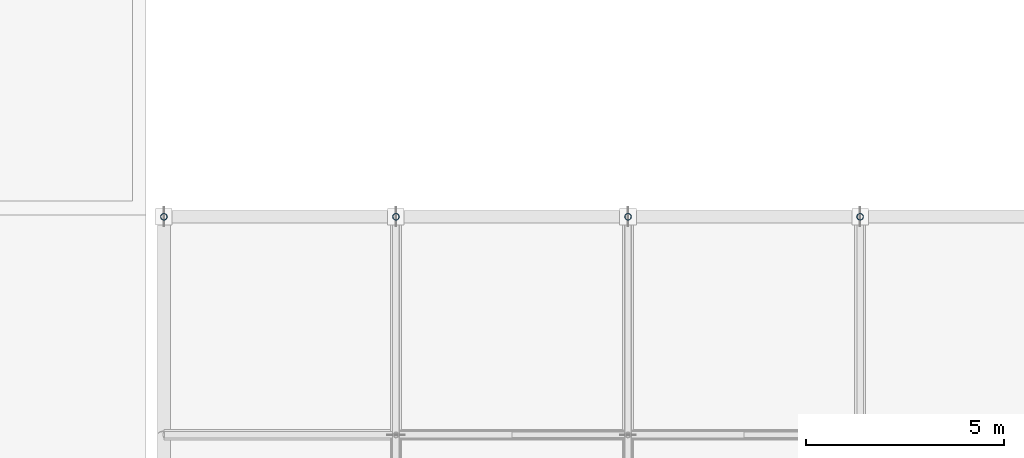
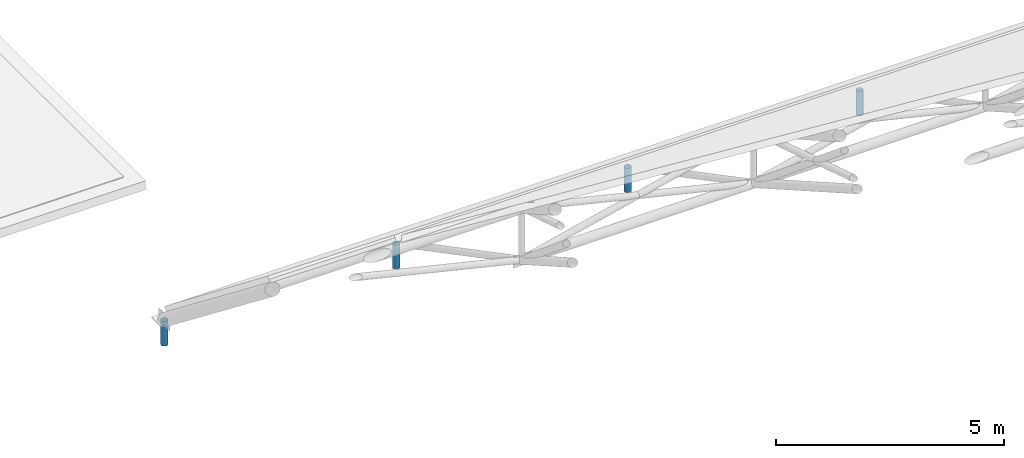
# One storey, part 71 of 82: 4 members.
"""IFC4 building model written with IfcOpenShell, lengths in metres."""

from ifc_helpers import new_model, si_unit, direction, frame, origin, origin_2d, place, context, subcontext, project, spatial, hollow_circle, extrude, material, material_profile, profile_set, type_object, element, save


model = new_model("IFC4")

# Units and contexts
model_context = context("Model", 3, precision=1e-05, world=origin(), true_north=direction((0.0, 1.0)))
body_context = subcontext(model_context, "Body", "Model", "MODEL_VIEW")
ifc_project = project(units=[si_unit("LENGTHUNIT", "METRE"), si_unit("AREAUNIT", "SQUARE_METRE"), si_unit("VOLUMEUNIT", "CUBIC_METRE"), si_unit("PLANEANGLEUNIT", "RADIAN"), si_unit("MASSUNIT", "GRAM", prefix="KILO")], contexts=[model_context])

# Site, building, storey
site_placement = place(None, origin())
site = spatial("IfcSite", under=ifc_project, at=site_placement, CompositionType="ELEMENT")
building_placement = place(site_placement, origin())
building = spatial("IfcBuilding", under=site, at=building_placement, Name="Bramfleet General Hospital", CompositionType="ELEMENT")
storey_placement = place(building_placement, frame((0.0, 0.0, 34.199951171875)))
storey = spatial("IfcBuildingStorey", under=building, at=storey_placement, Name="Roof", CompositionType="ELEMENT", Elevation=34.199951171875)

# Members
ifc_material = material(Name="Steel S355", Category="steel")
ifc_material_profile = material_profile(ifc_material, hollow_circle(Radius=0.084228515625, WallThickness=0.008056640625, at=origin_2d()), Name="CHS 168.3x8.0")
ifc_profile_set = profile_set([ifc_material_profile], Name="Steel S355")
member_type = type_object("IfcMemberType", Name="MEM-SF-DG1", PredefinedType="STRUT", material=ifc_profile_set)
for number, where, z_axis, x_axis, name in (
    (1, (50.85009765625, 50.35009765625, -20.099853515625), (0.0, 0.0, 1.0), (1.0, 0.0, 0.0), "Space Frame Springing Pedestal 0-6"),
    (2, (56.721435546875, 50.35009765625, -20.099853515625), (0.0, 0.0, 1.0), (1.0, 0.0, 0.0), "Space Frame Springing Pedestal 1-6"),
    (3, (62.5927734375, 50.35009765625, -20.099853515625), (0.0, 0.0, 1.0), (1.0, 0.0, 0.0), "Space Frame Springing Pedestal 2-6"),
    (4, (68.46435546875, 50.35009765625, -20.099853515625), (0.0, 0.0, 1.0), (1.0, 0.0, 0.0), "Space Frame Springing Pedestal 3-6"),
):
    element("IfcMember", number, at=place(storey_placement, frame(where, z_axis=z_axis, x_axis=x_axis)), inside=storey, type_object=member_type, Name=name, PredefinedType="STRUT", context=body_context, shape_type="SweptSolid", body=[
        extrude(hollow_circle(Radius=0.084228515625, WallThickness=0.008056640625, at=origin_2d()), origin(), (0.0, 0.0, 1.0), 0.64990234375),
    ])

save(model, "model.ifc")
